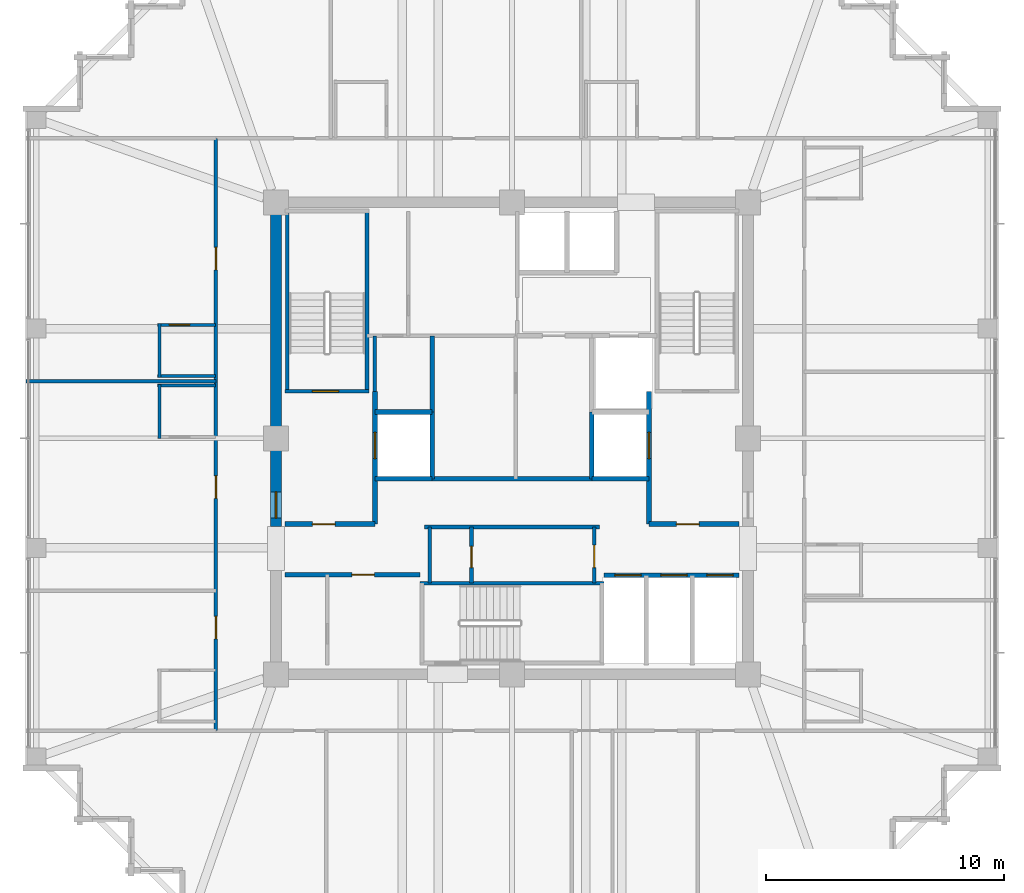
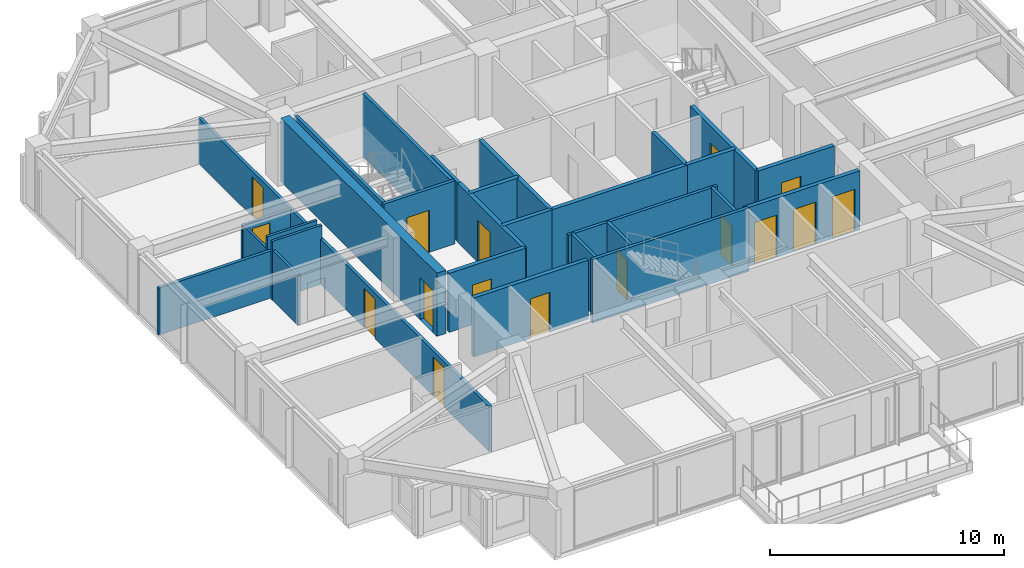
# One storey, part 31 of 36: 30 walls, 16 doors, 16 openings.
"""IFC4 building model written with IfcOpenShell, lengths in metres."""

from ifc_helpers import new_model, si_unit, direction, frame, frame_2d, origin, place, context, subcontext, project, spatial, rectangle, extrude, material, layer, layer_set, type_object, element, fill, save


model = new_model("IFC4")

# Units and contexts
model_context = context("Model", 3, precision=1e-05, world=origin(), true_north=direction((0.0, 1.0)))
body_context = subcontext(model_context, "Body", "Model", "MODEL_VIEW")
ifc_project = project(units=[si_unit("LENGTHUNIT", "METRE"), si_unit("AREAUNIT", "SQUARE_METRE"), si_unit("VOLUMEUNIT", "CUBIC_METRE"), si_unit("PLANEANGLEUNIT", "RADIAN"), si_unit("MASSUNIT", "GRAM", prefix="KILO")], contexts=[model_context])

# Site, building, storey
site_placement = place(None, origin())
site = spatial("IfcSite", under=ifc_project, at=site_placement, CompositionType="ELEMENT")
building_placement = place(site_placement, origin())
building = spatial("IfcBuilding", under=site, at=building_placement, Name="Kolvaren Belvedere", CompositionType="ELEMENT")
storey_placement = place(building_placement, frame((0.0, 0.0, 226.199951171875)))
storey = spatial("IfcBuildingStorey", under=building, at=storey_placement, Name="L66", CompositionType="ELEMENT", Elevation=226.199951171875)

# Wall, opening, door
ifc_material_1 = material(Name="Concrete C50/60", Category="concrete")
ifc_layer_1 = layer(ifc_material_1, 0.449951171875)
ifc_layer_set_1 = layer_set([ifc_layer_1], Name="Concrete C50/60")
wall_type_1 = type_object("IfcWallType", Name="CW-CORE-450", PredefinedType="SHEAR", material=ifc_layer_set_1)
wall_1_placement = place(storey_placement, frame((-9.89990234375, -3.699951171875, 0.0), z_axis=(0.0, 0.0, 1.0), x_axis=(0.0, 1.0, 0.0)))
wall_1 = element("IfcWall", 1, at=wall_1_placement, inside=storey, type_object=wall_type_1, Name="L66 West Core Shear Wall 2", PredefinedType="SHEAR", context=body_context, shape_type="SweptSolid", body=[
    extrude(rectangle(XDim=13.375, YDim=0.449951171875, at=frame_2d((6.6875, 0.0))), origin(), (0.0, 0.0, 1.0), 3.300048828125),
])
opening_1_placement = place(wall_1_placement, frame((0.35009765625, 0.0, 0.0)))
opening_1 = element("IfcOpeningElement", 2, at=opening_1_placement, cuts=wall_1, Name="Opening D-FD90", PredefinedType="OPENING", context=body_context, shape_type="SweptSolid", body=[
    extrude(rectangle(XDim=1.10009765625, YDim=2.199951171875, at=frame_2d((0.550048828125, 1.10009765625))), frame((0.0, 0.23486328125, 0.0), z_axis=(0.0, -1.0, 0.0), x_axis=(1.0, 0.0, 0.0)), (0.0, 0.0, 1.0), 0.469970703125),
])
ifc_material_2 = material(Name="Painted hollow stainless steel", Category="steel")
door_type_1 = type_object("IfcDoorType", Name="DR-FD90-1100", OperationType="NOTDEFINED", PredefinedType="DOOR", material=ifc_material_2)
door_1_placement = place(opening_1_placement, origin())
door_1 = element("IfcDoor", 3, at=door_1_placement, inside=storey, type_object=door_type_1, Name="L66 West Firefighting Lobby Fire Door", OperationType="SINGLE_SWING_LEFT", OverallHeight=2.199951171875, OverallWidth=1.10009765625, PredefinedType="DOOR", context=body_context, shape_type="SweptSolid", body=[
    extrude(rectangle(XDim=1.10009765625, YDim=2.199951171875, at=frame_2d((0.550048828125, 1.10009765625))), frame((0.0, 0.02490234375, 0.0), z_axis=(0.0, -1.0, 0.0), x_axis=(1.0, 0.0, 0.0)), (0.0, 0.0, 1.0), 0.050048828125),
])
fill(opening_1, door_1)

ifc_material_3 = material(Name="Concrete C50/60", Category="concrete")
ifc_layer_2 = layer(ifc_material_3, 0.159912109375)
ifc_layer_set_2 = layer_set([ifc_layer_2], Name="Concrete C50/60")
wall_type_2 = type_object("IfcWallType", Name="CW-STAIR-160", PredefinedType="SHEAR", material=ifc_layer_set_2)
wall_2_placement = place(storey_placement, frame((-9.52001953125, 1.969970703125, 0.0), z_axis=(0.0, 0.0, 1.0), x_axis=(1.0, 0.0, 0.0)))
wall_2 = element("IfcWall", 4, at=wall_2_placement, inside=storey, type_object=wall_type_2, Name="L66 Stair ST-1 South Shear Wall", PredefinedType="SHEAR", context=body_context, shape_type="SweptSolid", body=[
    extrude(rectangle(XDim=3.52001953125, YDim=0.159912109375, at=frame_2d((1.760009765625, 0.0))), origin(), (0.0, 0.0, 1.0), 3.300048828125),
])
opening_2_placement = place(wall_2_placement, frame((1.14990234375, 0.0, 0.0)))
opening_2 = element("IfcOpeningElement", 5, at=opening_2_placement, cuts=wall_2, Name="Opening D-FD90", PredefinedType="OPENING", context=body_context, shape_type="SweptSolid", body=[
    extrude(rectangle(XDim=1.10009765625, YDim=2.199951171875, at=frame_2d((0.550048828125, 1.10009765625))), frame((0.0, 0.08984375, 0.0), z_axis=(0.0, -1.0, 0.0), x_axis=(1.0, 0.0, 0.0)), (0.0, 0.0, 1.0), 0.179931640625),
])
door_2_placement = place(opening_2_placement, origin())
door_2 = element("IfcDoor", 6, at=door_2_placement, inside=storey, type_object=door_type_1, Name="L66 Stair ST-1 Fire Door", OperationType="SINGLE_SWING_LEFT", OverallHeight=2.199951171875, OverallWidth=1.10009765625, PredefinedType="DOOR", context=body_context, shape_type="SweptSolid", body=[
    extrude(rectangle(XDim=1.10009765625, YDim=2.199951171875, at=frame_2d((0.550048828125, 1.10009765625))), frame((0.0, 0.02490234375, 0.0), z_axis=(0.0, -1.0, 0.0), x_axis=(1.0, 0.0, 0.0)), (0.0, 0.0, 1.0), 0.050048828125),
])
fill(opening_2, door_2)

# Walls
for number, where, z_axis, x_axis, name in (
    (7, (-9.429931640625, 1.969970703125, 0.0), (0.0, 0.0, 1.0), (0.0, 1.0, 0.0), "L66 Stair ST-1 West Shear Wall"),
    (8, (-6.080078125, 1.969970703125, 0.0), (0.0, 0.0, 1.0), (0.0, 1.0, 0.0), "L66 Stair ST-1 East Shear Wall"),
):
    element("IfcWall", number, at=place(storey_placement, frame(where, z_axis=z_axis, x_axis=x_axis)), inside=storey, type_object=wall_type_2, Name=name, PredefinedType="SHEAR", context=body_context, shape_type="SweptSolid", body=[
        extrude(rectangle(XDim=7.56005859375, YDim=0.159912109375, at=frame_2d((3.780029296875, 0.0))), origin(), (0.0, 0.0, 1.0), 3.300048828125),
    ])
wall_3_placement = place(storey_placement, frame((-3.860107421875, -6.080078125, 0.0), z_axis=(0.0, 0.0, 1.0), x_axis=(1.0, 0.0, 0.0)))
element("IfcWall", 9, at=wall_3_placement, inside=storey, type_object=wall_type_2, Name="L66 Stair ST-3 North Shear Wall", PredefinedType="SHEAR", context=body_context, shape_type="SweptSolid", body=[
    extrude(rectangle(XDim=7.72021484375, YDim=0.159912109375, at=frame_2d((3.860107421875, 0.0))), origin(), (0.0, 0.0, 1.0), 3.300048828125),
])

# Wall, openings, doors
ifc_material_4 = material(Name="Gypsum fire-rated partition assembly", Category="gypsum")
ifc_layer_3 = layer(ifc_material_4, 0.14990234375)
ifc_layer_set_3 = layer_set([ifc_layer_3], Name="Gypsum fire-rated partition assembly")
wall_type_3 = type_object("IfcWallType", Name="WL-CORR-150", PredefinedType="PARTITIONING", material=ifc_layer_set_3)
wall_4_placement = place(storey_placement, frame((-12.419921875, -12.260009765625, 0.0), z_axis=(0.0, 0.0, 1.0), x_axis=(0.0, 1.0, 0.0)))
wall_4 = element("IfcWall", 10, at=wall_4_placement, inside=storey, type_object=wall_type_3, Name="L66 West Corridor Wall", PredefinedType="PARTITIONING", context=body_context, shape_type="SweptSolid", body=[
    extrude(rectangle(XDim=24.840087890625, YDim=0.14990234375, at=frame_2d((12.419921875, 0.0))), origin(), (0.0, 0.0, 1.0), 2.369140625),
])
opening_3_placement = place(wall_4_placement, frame((3.840087890625, 0.0, 0.0)))
opening_3 = element("IfcOpeningElement", 11, at=opening_3_placement, cuts=wall_4, Name="Opening D-FD60", PredefinedType="OPENING", context=body_context, shape_type="SweptSolid", body=[
    extrude(rectangle(XDim=0.949951171875, YDim=2.06005859375, at=frame_2d((0.47509765625, 1.030029296875))), frame((0.0, 0.0849609375, 0.0), z_axis=(0.0, -1.0, 0.0), x_axis=(1.0, 0.0, 0.0)), (0.0, 0.0, 1.0), 0.169921875),
])
opening_4_placement = place(wall_4_placement, frame((9.737548828125, 0.0, 0.0)))
opening_4 = element("IfcOpeningElement", 12, at=opening_4_placement, cuts=wall_4, Name="Opening D-FD60", PredefinedType="OPENING", context=body_context, shape_type="SweptSolid", body=[
    extrude(rectangle(XDim=0.949951171875, YDim=2.06005859375, at=frame_2d((0.47509765625, 1.030029296875))), frame((0.0, 0.0849609375, 0.0), z_axis=(0.0, -1.0, 0.0), x_axis=(1.0, 0.0, 0.0)), (0.0, 0.0, 1.0), 0.169921875),
])
opening_5_placement = place(wall_4_placement, frame((19.320068359375, 0.0, 0.0)))
opening_5 = element("IfcOpeningElement", 13, at=opening_5_placement, cuts=wall_4, Name="Opening D-FD60", PredefinedType="OPENING", context=body_context, shape_type="SweptSolid", body=[
    extrude(rectangle(XDim=0.949951171875, YDim=2.06005859375, at=frame_2d((0.47509765625, 1.030029296875))), frame((0.0, 0.0849609375, 0.0), z_axis=(0.0, -1.0, 0.0), x_axis=(1.0, 0.0, 0.0)), (0.0, 0.0, 1.0), 0.169921875),
])
ifc_material_5 = material(Name="Acoustic white-oak fire door leaf", Category="timber")
door_type_2 = type_object("IfcDoorType", Name="DR-FD60-950", OperationType="NOTDEFINED", PredefinedType="DOOR", material=ifc_material_5)
door_3_placement = place(opening_3_placement, origin())
door_3 = element("IfcDoor", 14, at=door_3_placement, inside=storey, type_object=door_type_2, Name="L66 Twin Guest Room 6607 Entry Door", OperationType="SINGLE_SWING_LEFT", OverallHeight=2.06005859375, OverallWidth=0.949951171875, PredefinedType="DOOR", context=body_context, shape_type="SweptSolid", body=[
    extrude(rectangle(XDim=0.949951171875, YDim=2.06005859375, at=frame_2d((0.47509765625, 1.030029296875))), frame((0.0, 0.02490234375, 0.0), z_axis=(0.0, -1.0, 0.0), x_axis=(1.0, 0.0, 0.0)), (0.0, 0.0, 1.0), 0.050048828125),
])
fill(opening_3, door_3)
door_4_placement = place(opening_4_placement, origin())
door_4 = element("IfcDoor", 15, at=door_4_placement, inside=storey, type_object=door_type_2, Name="L66 Deluxe King Guest Room 6608 Entry Door", OperationType="SINGLE_SWING_LEFT", OverallHeight=2.06005859375, OverallWidth=0.949951171875, PredefinedType="DOOR", context=body_context, shape_type="SweptSolid", body=[
    extrude(rectangle(XDim=0.949951171875, YDim=2.06005859375, at=frame_2d((0.47509765625, 1.030029296875))), frame((0.0, 0.02490234375, 0.0), z_axis=(0.0, -1.0, 0.0), x_axis=(1.0, 0.0, 0.0)), (0.0, 0.0, 1.0), 0.050048828125),
])
fill(opening_4, door_4)
door_5_placement = place(opening_5_placement, origin())
door_5 = element("IfcDoor", 16, at=door_5_placement, inside=storey, type_object=door_type_2, Name="L66 Twin Guest Room 6609 Entry Door", OperationType="SINGLE_SWING_LEFT", OverallHeight=2.06005859375, OverallWidth=0.949951171875, PredefinedType="DOOR", context=body_context, shape_type="SweptSolid", body=[
    extrude(rectangle(XDim=0.949951171875, YDim=2.06005859375, at=frame_2d((0.47509765625, 1.030029296875))), frame((0.0, 0.02490234375, 0.0), z_axis=(0.0, -1.0, 0.0), x_axis=(1.0, 0.0, 0.0)), (0.0, 0.0, 1.0), 0.050048828125),
])
fill(opening_5, door_5)

# Wall
ifc_material_6 = material(Name="Gypsum acoustic partition assembly", Category="gypsum")
ifc_layer_4 = layer(ifc_material_6, 0.14990234375)
ifc_layer_set_4 = layer_set([ifc_layer_4], Name="Gypsum acoustic partition assembly")
wall_type_4 = type_object("IfcWallType", Name="WL-PART-150", PredefinedType="PARTITIONING", material=ifc_layer_set_4)
wall_5_placement = place(storey_placement, frame((-3.679931640625, -3.719970703125, 0.0), z_axis=(0.0, 0.0, 1.0), x_axis=(1.0, 0.0, 0.0)))
element("IfcWall", 17, at=wall_5_placement, inside=storey, type_object=wall_type_4, Name="L66 South Core Service North Wall", PredefinedType="PARTITIONING", context=body_context, shape_type="SweptSolid", body=[
    extrude(rectangle(XDim=7.35986328125, YDim=0.14990234375, at=frame_2d((3.679931640625, 0.0))), origin(), (0.0, 0.0, 1.0), 3.080078125),
])

# Wall, opening, door
wall_6_placement = place(storey_placement, frame((3.449951171875, -6.080078125, 0.0), z_axis=(0.0, 0.0, 1.0), x_axis=(0.0, 1.0, 0.0)))
wall_6 = element("IfcWall", 18, at=wall_6_placement, inside=storey, type_object=wall_type_4, Name="L66 South Core Service East Wall", PredefinedType="PARTITIONING", context=body_context, shape_type="SweptSolid", body=[
    extrude(rectangle(XDim=2.360107421875, YDim=0.14990234375, at=frame_2d((1.18017578125, 0.0))), origin(), (0.0, 0.0, 1.0), 3.080078125),
])
opening_6_placement = place(wall_6_placement, frame((0.64990234375, 0.0, 0.0)))
opening_6 = element("IfcOpeningElement", 19, at=opening_6_placement, cuts=wall_6, Name="Opening D-FD60", PredefinedType="OPENING", context=body_context, shape_type="SweptSolid", body=[
    extrude(rectangle(XDim=0.949951171875, YDim=2.06005859375, at=frame_2d((0.47509765625, 1.030029296875))), frame((0.0, 0.0849609375, 0.0), z_axis=(0.0, -1.0, 0.0), x_axis=(1.0, 0.0, 0.0)), (0.0, 0.0, 1.0), 0.169921875),
])
door_6_placement = place(opening_6_placement, origin())
door_6 = element("IfcDoor", 20, at=door_6_placement, inside=storey, type_object=door_type_2, Name="L66 Core Service Room Door", OperationType="SINGLE_SWING_LEFT", OverallHeight=2.06005859375, OverallWidth=0.949951171875, PredefinedType="DOOR", context=body_context, shape_type="SweptSolid", body=[
    extrude(rectangle(XDim=0.949951171875, YDim=2.06005859375, at=frame_2d((0.47509765625, 1.030029296875))), frame((0.0, 0.02490234375, 0.0), z_axis=(0.0, -1.0, 0.0), x_axis=(1.0, 0.0, 0.0)), (0.0, 0.0, 1.0), 0.050048828125),
])
fill(opening_6, door_6)

# Wall
wall_7_placement = place(storey_placement, frame((-3.449951171875, -6.080078125, 0.0), z_axis=(0.0, 0.0, 1.0), x_axis=(0.0, 1.0, 0.0)))
element("IfcWall", 21, at=wall_7_placement, inside=storey, type_object=wall_type_4, Name="L66 South Core Service West Wall", PredefinedType="PARTITIONING", context=body_context, shape_type="SweptSolid", body=[
    extrude(rectangle(XDim=2.360107421875, YDim=0.14990234375, at=frame_2d((1.18017578125, 0.0))), origin(), (0.0, 0.0, 1.0), 3.080078125),
])

# Wall, opening, door
wall_8_placement = place(storey_placement, frame((-1.699951171875, -6.080078125, 0.0), z_axis=(0.0, 0.0, 1.0), x_axis=(0.0, 1.0, 0.0)))
wall_8 = element("IfcWall", 22, at=wall_8_placement, inside=storey, type_object=wall_type_4, Name="L66 Core Service Divider", PredefinedType="PARTITIONING", context=body_context, shape_type="SweptSolid", body=[
    extrude(rectangle(XDim=2.360107421875, YDim=0.14990234375, at=frame_2d((1.18017578125, 0.0))), origin(), (0.0, 0.0, 1.0), 3.080078125),
])
opening_7_placement = place(wall_8_placement, frame((0.64990234375, 0.0, 0.0)))
opening_7 = element("IfcOpeningElement", 23, at=opening_7_placement, cuts=wall_8, Name="Opening D-INT90", PredefinedType="OPENING", context=body_context, shape_type="SweptSolid", body=[
    extrude(rectangle(XDim=0.89990234375, YDim=2.06005859375, at=frame_2d((0.449951171875, 1.030029296875))), frame((0.0, 0.0849609375, 0.0), z_axis=(0.0, -1.0, 0.0), x_axis=(1.0, 0.0, 0.0)), (0.0, 0.0, 1.0), 0.169921875),
])
ifc_material_7 = material(Name="Stained Pacific white oak", Category="timber")
door_type_3 = type_object("IfcDoorType", Name="DR-INT-900", OperationType="NOTDEFINED", PredefinedType="DOOR", material=ifc_material_7)
door_7_placement = place(opening_7_placement, origin())
door_7 = element("IfcDoor", 24, at=door_7_placement, inside=storey, type_object=door_type_3, Name="L66 Telecom Inner Door", OperationType="SINGLE_SWING_RIGHT", OverallHeight=2.06005859375, OverallWidth=0.89990234375, PredefinedType="DOOR", context=body_context, shape_type="SweptSolid", body=[
    extrude(rectangle(XDim=0.89990234375, YDim=2.06005859375, at=frame_2d((0.449951171875, 1.030029296875))), frame((0.0, 0.02490234375, 0.0), z_axis=(0.0, -1.0, 0.0), x_axis=(1.0, 0.0, 0.0)), (0.0, 0.0, 1.0), 0.050048828125),
])
fill(opening_7, door_7)

# Walls
wall_9_placement = place(storey_placement, frame((-5.75, 1.969970703125, 0.0), z_axis=(0.0, 0.0, 1.0), x_axis=(0.0, 1.0, 0.0)))
element("IfcWall", 25, at=wall_9_placement, inside=storey, type_object=wall_type_4, Name="L66 NW Service Room West Wall", PredefinedType="PARTITIONING", context=body_context, shape_type="SweptSolid", body=[
    extrude(rectangle(XDim=2.330078125, YDim=0.14990234375, at=frame_2d((1.1650390625, 0.0))), origin(), (0.0, 0.0, 1.0), 3.080078125),
])
wall_10_placement = place(storey_placement, frame((-20.3798828125, 2.39990234375, 0.0), z_axis=(0.0, 0.0, 1.0), x_axis=(1.0, 0.0, 0.0)))
element("IfcWall", 26, at=wall_10_placement, inside=storey, type_object=wall_type_4, Name="L66 West Suite Demising Wall 2", PredefinedType="PARTITIONING", context=body_context, shape_type="SweptSolid", body=[
    extrude(rectangle(XDim=7.9599609375, YDim=0.14990234375, at=frame_2d((3.97998046875, 0.0))), origin(), (0.0, 0.0, 1.0), 2.453125),
])

# Wall, opening, door
ifc_material_8 = material(Name="Concrete C50/60", Category="concrete")
ifc_layer_5 = layer(ifc_material_8, 0.199951171875)
ifc_layer_set_5 = layer_set([ifc_layer_5], Name="Concrete C50/60")
wall_type_5 = type_object("IfcWallType", Name="WL-SHAFT-200", PredefinedType="SOLIDWALL", material=ifc_layer_set_5)
wall_11_placement = place(storey_placement, frame((-9.52001953125, -3.60009765625, 0.0), z_axis=(0.0, 0.0, 1.0), x_axis=(1.0, 0.0, 0.0)))
wall_11 = element("IfcWall", 27, at=wall_11_placement, inside=storey, type_object=wall_type_5, Name="L66 West FSAE Lobby South Wall", PredefinedType="SOLIDWALL", context=body_context, shape_type="SweptSolid", body=[
    extrude(rectangle(XDim=3.77001953125, YDim=0.199951171875, at=frame_2d((1.885009765625, 0.0))), origin(), (0.0, 0.0, 1.0), 3.080078125),
])
opening_8_placement = place(wall_11_placement, frame((1.14990234375, 0.0, 0.0)))
opening_8 = element("IfcOpeningElement", 28, at=opening_8_placement, cuts=wall_11, Name="Opening D-FD60", PredefinedType="OPENING", context=body_context, shape_type="SweptSolid", body=[
    extrude(rectangle(XDim=0.949951171875, YDim=2.06005859375, at=frame_2d((0.47509765625, 1.030029296875))), frame((0.0, 0.10986328125, 0.0), z_axis=(0.0, -1.0, 0.0), x_axis=(1.0, 0.0, 0.0)), (0.0, 0.0, 1.0), 0.219970703125),
])
door_8_placement = place(opening_8_placement, origin())
door_8 = element("IfcDoor", 29, at=door_8_placement, inside=storey, type_object=door_type_2, Name="L66 SW Lobby Fire Door", OperationType="SINGLE_SWING_LEFT", OverallHeight=2.06005859375, OverallWidth=0.949951171875, PredefinedType="DOOR", context=body_context, shape_type="SweptSolid", body=[
    extrude(rectangle(XDim=0.949951171875, YDim=2.06005859375, at=frame_2d((0.47509765625, 1.030029296875))), frame((0.0, 0.02490234375, 0.0), z_axis=(0.0, -1.0, 0.0), x_axis=(1.0, 0.0, 0.0)), (0.0, 0.0, 1.0), 0.050048828125),
])
fill(opening_8, door_8)

wall_12_placement = place(storey_placement, frame((-5.75, -3.60009765625, 0.0), z_axis=(0.0, 0.0, 1.0), x_axis=(0.0, 1.0, 0.0)))
wall_12 = element("IfcWall", 30, at=wall_12_placement, inside=storey, type_object=wall_type_5, Name="L66 FSAE FS1 Landing Wall", PredefinedType="SOLIDWALL", context=body_context, shape_type="SweptSolid", body=[
    extrude(rectangle(XDim=5.570068359375, YDim=0.199951171875, at=frame_2d((2.78515625, 0.0))), origin(), (0.0, 0.0, 1.0), 3.080078125),
])
opening_9_placement = place(wall_12_placement, frame((2.75, 0.0, 0.0)))
opening_9 = element("IfcOpeningElement", 31, at=opening_9_placement, cuts=wall_12, Name="Opening LD-11", PredefinedType="OPENING", context=body_context, shape_type="SweptSolid", body=[
    extrude(rectangle(XDim=1.10009765625, YDim=2.199951171875, at=frame_2d((0.550048828125, 1.10009765625))), frame((0.0, 0.10986328125, 0.0), z_axis=(0.0, -1.0, 0.0), x_axis=(1.0, 0.0, 0.0)), (0.0, 0.0, 1.0), 0.219970703125),
])
ifc_material_9 = material(Name="Brushed stainless steel", Category="steel")
door_type_4 = type_object("IfcDoorType", Name="DR-LIFT-1100", OperationType="DOUBLE_DOOR_SLIDING", PredefinedType="DOOR", material=ifc_material_9)
door_9_placement = place(opening_9_placement, origin())
door_9 = element("IfcDoor", 32, at=door_9_placement, inside=storey, type_object=door_type_4, Name="L66 Firefighting Lift FS1 Landing Door", OperationType="DOUBLE_DOOR_SLIDING", OverallHeight=2.199951171875, OverallWidth=1.10009765625, PredefinedType="DOOR", context=body_context, shape_type="SweptSolid", body=[
    extrude(rectangle(XDim=1.10009765625, YDim=2.199951171875, at=frame_2d((0.550048828125, 1.10009765625))), frame((0.0, 0.02490234375, 0.0), z_axis=(0.0, -1.0, 0.0), x_axis=(1.0, 0.0, 0.0)), (0.0, 0.0, 1.0), 0.050048828125),
])
fill(opening_9, door_9)

# Walls
wall_13_placement = place(storey_placement, frame((-3.35009765625, -1.699951171875, 0.0), z_axis=(0.0, 0.0, 1.0), x_axis=(0.0, 1.0, 0.0)))
element("IfcWall", 33, at=wall_13_placement, inside=storey, type_object=wall_type_5, Name="L66 FSAE FS1 Back Wall", PredefinedType="SOLIDWALL", context=body_context, shape_type="SweptSolid", body=[
    extrude(rectangle(XDim=2.800048828125, YDim=0.199951171875, at=frame_2d((1.39990234375, 0.0))), origin(), (0.0, 0.0, 1.0), 3.080078125),
])
for number, where, z_axis, x_axis, name in (
    (34, (-5.75, -1.699951171875, 0.0), (0.0, 0.0, 1.0), (1.0, 0.0, 0.0), "L66 FSAE FS1 South Wall"),
    (35, (-5.75, 1.10009765625, 0.0), (0.0, 0.0, 1.0), (1.0, 0.0, 0.0), "L66 FSAE FS1 North Wall"),
):
    element("IfcWall", number, at=place(storey_placement, frame(where, z_axis=z_axis, x_axis=x_axis)), inside=storey, type_object=wall_type_5, Name=name, PredefinedType="SOLIDWALL", context=body_context, shape_type="SweptSolid", body=[
        extrude(rectangle(XDim=2.39990234375, YDim=0.199951171875, at=frame_2d((1.199951171875, 0.0))), origin(), (0.0, 0.0, 1.0), 3.080078125),
    ])

# Wall, opening, door
wall_14_placement = place(storey_placement, frame((5.75, -3.60009765625, 0.0), z_axis=(0.0, 0.0, 1.0), x_axis=(1.0, 0.0, 0.0)))
wall_14 = element("IfcWall", 36, at=wall_14_placement, inside=storey, type_object=wall_type_5, Name="L66 East FSAE Lobby South Wall", PredefinedType="SOLIDWALL", context=body_context, shape_type="SweptSolid", body=[
    extrude(rectangle(XDim=3.77001953125, YDim=0.199951171875, at=frame_2d((1.885009765625, 0.0))), origin(), (0.0, 0.0, 1.0), 3.080078125),
])
opening_10_placement = place(wall_14_placement, frame((1.14990234375, 0.0, 0.0)))
opening_10 = element("IfcOpeningElement", 37, at=opening_10_placement, cuts=wall_14, Name="Opening D-FD60", PredefinedType="OPENING", context=body_context, shape_type="SweptSolid", body=[
    extrude(rectangle(XDim=0.949951171875, YDim=2.06005859375, at=frame_2d((0.47509765625, 1.030029296875))), frame((0.0, 0.10986328125, 0.0), z_axis=(0.0, -1.0, 0.0), x_axis=(1.0, 0.0, 0.0)), (0.0, 0.0, 1.0), 0.219970703125),
])
door_10_placement = place(opening_10_placement, origin())
door_10 = element("IfcDoor", 38, at=door_10_placement, inside=storey, type_object=door_type_2, Name="L66 SE Lift Lobby Fire Door", OperationType="SINGLE_SWING_RIGHT", OverallHeight=2.06005859375, OverallWidth=0.949951171875, PredefinedType="DOOR", context=body_context, shape_type="SweptSolid", body=[
    extrude(rectangle(XDim=0.949951171875, YDim=2.06005859375, at=frame_2d((0.47509765625, 1.030029296875))), frame((0.0, 0.02490234375, 0.0), z_axis=(0.0, -1.0, 0.0), x_axis=(1.0, 0.0, 0.0)), (0.0, 0.0, 1.0), 0.050048828125),
])
fill(opening_10, door_10)

wall_15_placement = place(storey_placement, frame((5.75, -3.60009765625, 0.0), z_axis=(0.0, 0.0, 1.0), x_axis=(0.0, 1.0, 0.0)))
wall_15 = element("IfcWall", 39, at=wall_15_placement, inside=storey, type_object=wall_type_5, Name="L66 FSAE FS2 Landing Wall", PredefinedType="SOLIDWALL", context=body_context, shape_type="SweptSolid", body=[
    extrude(rectangle(XDim=5.570068359375, YDim=0.199951171875, at=frame_2d((2.78515625, 0.0))), origin(), (0.0, 0.0, 1.0), 3.080078125),
])
opening_11_placement = place(wall_15_placement, frame((2.75, 0.0, 0.0)))
opening_11 = element("IfcOpeningElement", 40, at=opening_11_placement, cuts=wall_15, Name="Opening LD-11", PredefinedType="OPENING", context=body_context, shape_type="SweptSolid", body=[
    extrude(rectangle(XDim=1.10009765625, YDim=2.199951171875, at=frame_2d((0.550048828125, 1.10009765625))), frame((0.0, 0.10986328125, 0.0), z_axis=(0.0, -1.0, 0.0), x_axis=(1.0, 0.0, 0.0)), (0.0, 0.0, 1.0), 0.219970703125),
])
door_11_placement = place(opening_11_placement, origin())
door_11 = element("IfcDoor", 41, at=door_11_placement, inside=storey, type_object=door_type_4, Name="L66 Firefighting Lift FS2 Landing Door", OperationType="DOUBLE_DOOR_SLIDING", OverallHeight=2.199951171875, OverallWidth=1.10009765625, PredefinedType="DOOR", context=body_context, shape_type="SweptSolid", body=[
    extrude(rectangle(XDim=1.10009765625, YDim=2.199951171875, at=frame_2d((0.550048828125, 1.10009765625))), frame((0.0, 0.02490234375, 0.0), z_axis=(0.0, -1.0, 0.0), x_axis=(1.0, 0.0, 0.0)), (0.0, 0.0, 1.0), 0.050048828125),
])
fill(opening_11, door_11)

# Walls
wall_16_placement = place(storey_placement, frame((3.35009765625, -1.699951171875, 0.0), z_axis=(0.0, 0.0, 1.0), x_axis=(0.0, 1.0, 0.0)))
element("IfcWall", 42, at=wall_16_placement, inside=storey, type_object=wall_type_5, Name="L66 FSAE FS2 Back Wall", PredefinedType="SOLIDWALL", context=body_context, shape_type="SweptSolid", body=[
    extrude(rectangle(XDim=2.800048828125, YDim=0.199951171875, at=frame_2d((1.39990234375, 0.0))), origin(), (0.0, 0.0, 1.0), 3.080078125),
])
wall_17_placement = place(storey_placement, frame((3.35009765625, -1.699951171875, 0.0), z_axis=(0.0, 0.0, 1.0), x_axis=(1.0, 0.0, 0.0)))
element("IfcWall", 43, at=wall_17_placement, inside=storey, type_object=wall_type_5, Name="L66 FSAE FS2 South Wall", PredefinedType="SOLIDWALL", context=body_context, shape_type="SweptSolid", body=[
    extrude(rectangle(XDim=2.39990234375, YDim=0.199951171875, at=frame_2d((1.199951171875, 0.0))), origin(), (0.0, 0.0, 1.0), 3.080078125),
])

# Wall, opening, door
wall_18_placement = place(storey_placement, frame((-9.52001953125, -5.719970703125, 0.0), z_axis=(0.0, 0.0, 1.0), x_axis=(1.0, 0.0, 0.0)))
wall_18 = element("IfcWall", 44, at=wall_18_placement, inside=storey, type_object=wall_type_5, Name="L66 Reclaimed Mid Room North Wall", PredefinedType="SOLIDWALL", context=body_context, shape_type="SweptSolid", body=[
    extrude(rectangle(XDim=5.659912109375, YDim=0.199951171875, at=frame_2d((2.830078125, 0.0))), origin(), (0.0, 0.0, 1.0), 3.080078125),
])
opening_12_placement = place(wall_18_placement, frame((2.800048828125, 0.0, 0.0)))
opening_12 = element("IfcOpeningElement", 45, at=opening_12_placement, cuts=wall_18, Name="Opening D-FD60", PredefinedType="OPENING", context=body_context, shape_type="SweptSolid", body=[
    extrude(rectangle(XDim=0.949951171875, YDim=2.06005859375, at=frame_2d((0.47509765625, 1.030029296875))), frame((0.0, 0.10986328125, 0.0), z_axis=(0.0, -1.0, 0.0), x_axis=(1.0, 0.0, 0.0)), (0.0, 0.0, 1.0), 0.219970703125),
])
door_12_placement = place(opening_12_placement, origin())
door_12 = element("IfcDoor", 46, at=door_12_placement, inside=storey, type_object=door_type_2, Name="L66 Reading Lounge Door", OperationType="SINGLE_SWING_LEFT", OverallHeight=2.06005859375, OverallWidth=0.949951171875, PredefinedType="DOOR", context=body_context, shape_type="SweptSolid", body=[
    extrude(rectangle(XDim=0.949951171875, YDim=2.06005859375, at=frame_2d((0.47509765625, 1.030029296875))), frame((0.0, 0.02490234375, 0.0), z_axis=(0.0, -1.0, 0.0), x_axis=(1.0, 0.0, 0.0)), (0.0, 0.0, 1.0), 0.050048828125),
])
fill(opening_12, door_12)

# Wall, openings, doors
wall_19_placement = place(storey_placement, frame((3.860107421875, -5.75, 0.0), z_axis=(0.0, 0.0, 1.0), x_axis=(1.0, 0.0, 0.0)))
wall_19 = element("IfcWall", 47, at=wall_19_placement, inside=storey, type_object=wall_type_5, Name="L66 High-Rise Lift Bank Front Wall", PredefinedType="SOLIDWALL", context=body_context, shape_type="SweptSolid", body=[
    extrude(rectangle(XDim=5.659912109375, YDim=0.199951171875, at=frame_2d((2.830078125, 0.0))), origin(), (0.0, 0.0, 1.0), 3.080078125),
])
opening_13_placement = place(wall_19_placement, frame((0.4599609375, 0.0, 0.0)))
opening_13 = element("IfcOpeningElement", 48, at=opening_13_placement, cuts=wall_19, Name="Opening LD-11", PredefinedType="OPENING", context=body_context, shape_type="SweptSolid", body=[
    extrude(rectangle(XDim=1.10009765625, YDim=2.199951171875, at=frame_2d((0.550048828125, 1.10009765625))), frame((0.0, 0.10986328125, 0.0), z_axis=(0.0, -1.0, 0.0), x_axis=(1.0, 0.0, 0.0)), (0.0, 0.0, 1.0), 0.219970703125),
])
opening_14_placement = place(wall_19_placement, frame((2.389892578125, 0.0, 0.0)))
opening_14 = element("IfcOpeningElement", 49, at=opening_14_placement, cuts=wall_19, Name="Opening LD-11", PredefinedType="OPENING", context=body_context, shape_type="SweptSolid", body=[
    extrude(rectangle(XDim=1.10009765625, YDim=2.199951171875, at=frame_2d((0.550048828125, 1.10009765625))), frame((0.0, 0.10986328125, 0.0), z_axis=(0.0, -1.0, 0.0), x_axis=(1.0, 0.0, 0.0)), (0.0, 0.0, 1.0), 0.219970703125),
])
opening_15_placement = place(wall_19_placement, frame((4.320068359375, 0.0, 0.0)))
opening_15 = element("IfcOpeningElement", 50, at=opening_15_placement, cuts=wall_19, Name="Opening LD-11", PredefinedType="OPENING", context=body_context, shape_type="SweptSolid", body=[
    extrude(rectangle(XDim=1.10009765625, YDim=2.199951171875, at=frame_2d((0.550048828125, 1.10009765625))), frame((0.0, 0.10986328125, 0.0), z_axis=(0.0, -1.0, 0.0), x_axis=(1.0, 0.0, 0.0)), (0.0, 0.0, 1.0), 0.219970703125),
])
door_13_placement = place(opening_13_placement, origin())
door_13 = element("IfcDoor", 51, at=door_13_placement, inside=storey, type_object=door_type_4, Name="L66 Passenger Lift P7 Landing Door", OperationType="DOUBLE_DOOR_SLIDING", OverallHeight=2.199951171875, OverallWidth=1.10009765625, PredefinedType="DOOR", context=body_context, shape_type="SweptSolid", body=[
    extrude(rectangle(XDim=1.10009765625, YDim=2.199951171875, at=frame_2d((0.550048828125, 1.10009765625))), frame((0.0, 0.02490234375, 0.0), z_axis=(0.0, -1.0, 0.0), x_axis=(1.0, 0.0, 0.0)), (0.0, 0.0, 1.0), 0.050048828125),
])
fill(opening_13, door_13)
door_14_placement = place(opening_14_placement, origin())
door_14 = element("IfcDoor", 52, at=door_14_placement, inside=storey, type_object=door_type_4, Name="L66 Passenger Lift P8 Landing Door", OperationType="DOUBLE_DOOR_SLIDING", OverallHeight=2.199951171875, OverallWidth=1.10009765625, PredefinedType="DOOR", context=body_context, shape_type="SweptSolid", body=[
    extrude(rectangle(XDim=1.10009765625, YDim=2.199951171875, at=frame_2d((0.550048828125, 1.10009765625))), frame((0.0, 0.02490234375, 0.0), z_axis=(0.0, -1.0, 0.0), x_axis=(1.0, 0.0, 0.0)), (0.0, 0.0, 1.0), 0.050048828125),
])
fill(opening_14, door_14)
door_15_placement = place(opening_15_placement, origin())
door_15 = element("IfcDoor", 53, at=door_15_placement, inside=storey, type_object=door_type_4, Name="L66 Passenger Lift P9 Landing Door", OperationType="DOUBLE_DOOR_SLIDING", OverallHeight=2.199951171875, OverallWidth=1.10009765625, PredefinedType="DOOR", context=body_context, shape_type="SweptSolid", body=[
    extrude(rectangle(XDim=1.10009765625, YDim=2.199951171875, at=frame_2d((0.550048828125, 1.10009765625))), frame((0.0, 0.02490234375, 0.0), z_axis=(0.0, -1.0, 0.0), x_axis=(1.0, 0.0, 0.0)), (0.0, 0.0, 1.0), 0.050048828125),
])
fill(opening_15, door_15)

# Walls
wall_20_placement = place(storey_placement, frame((-3.35009765625, -1.699951171875, 0.0), z_axis=(0.0, 0.0, 1.0), x_axis=(1.0, 0.0, 0.0)))
element("IfcWall", 54, at=wall_20_placement, inside=storey, type_object=wall_type_5, Name="L66 Central Core Room South Wall", PredefinedType="SOLIDWALL", context=body_context, shape_type="SweptSolid", body=[
    extrude(rectangle(XDim=6.7001953125, YDim=0.199951171875, at=frame_2d((3.35009765625, 0.0))), origin(), (0.0, 0.0, 1.0), 3.080078125),
])
wall_21_placement = place(storey_placement, frame((-3.35009765625, 1.10009765625, 0.0), z_axis=(0.0, 0.0, 1.0), x_axis=(0.0, 1.0, 0.0)))
element("IfcWall", 55, at=wall_21_placement, inside=storey, type_object=wall_type_5, Name="L66 Central Core Room West Wall", PredefinedType="SOLIDWALL", context=body_context, shape_type="SweptSolid", body=[
    extrude(rectangle(XDim=3.199951171875, YDim=0.199951171875, at=frame_2d((1.60009765625, 0.0))), origin(), (0.0, 0.0, 1.0), 3.080078125),
])
ifc_material_10 = material(Name="Moisture-resistant gypsum partition", Category="gypsum")
ifc_layer_6 = layer(ifc_material_10, 0.125)
ifc_layer_set_6 = layer_set([ifc_layer_6], Name="Moisture-resistant gypsum partition")
wall_type_6 = type_object("IfcWallType", Name="WL-WET-125", PredefinedType="PARTITIONING", material=ifc_layer_set_6)
wall_22_placement = place(storey_placement, frame((-14.794921875, -0.0048828125, 0.0), z_axis=(0.0, 0.0, 1.0), x_axis=(0.0, 1.0, 0.0)))
element("IfcWall", 56, at=wall_22_placement, inside=storey, type_object=wall_type_6, Name="L66 Bathroom Partition PW-L66-BTH-8-V", PredefinedType="PARTITIONING", context=body_context, shape_type="SweptSolid", body=[
    extrude(rectangle(XDim=2.269775390625, YDim=0.125, at=frame_2d((1.134765625, 0.0))), origin(), (0.0, 0.0, 1.0), 2.60498046875),
])
wall_23_placement = place(storey_placement, frame((-14.875, 2.205078125, 0.0), z_axis=(0.0, 0.0, 1.0), x_axis=(1.0, 0.0, 0.0)))
element("IfcWall", 57, at=wall_23_placement, inside=storey, type_object=wall_type_6, Name="L66 Bathroom Partition PW-L66-BTH-8-S", PredefinedType="PARTITIONING", context=body_context, shape_type="SweptSolid", body=[
    extrude(rectangle(XDim=2.43994140625, YDim=0.125, at=frame_2d((1.219970703125, 0.0))), origin(), (0.0, 0.0, 1.0), 3.080078125),
])

# Wall, opening, door
wall_24_placement = place(storey_placement, frame((-14.875, 4.759033203125, 0.0), z_axis=(0.0, 0.0, 1.0), x_axis=(1.0, 0.0, 0.0)))
wall_24 = element("IfcWall", 58, at=wall_24_placement, inside=storey, type_object=wall_type_6, Name="L66 Bathroom Partition PW-L66-BTH-9-N", PredefinedType="PARTITIONING", context=body_context, shape_type="SweptSolid", body=[
    extrude(rectangle(XDim=2.43994140625, YDim=0.125, at=frame_2d((1.219970703125, 0.0))), origin(), (0.0, 0.0, 1.0), 2.369140625),
])
opening_16_placement = place(wall_24_placement, frame((0.5, 0.0, 0.0)))
opening_16 = element("IfcOpeningElement", 59, at=opening_16_placement, cuts=wall_24, Name="Opening D-BTH85", PredefinedType="OPENING", context=body_context, shape_type="SweptSolid", body=[
    extrude(rectangle(XDim=0.85009765625, YDim=2.030029296875, at=frame_2d((0.425048828125, 1.01513671875))), frame((0.0, 0.072509765625, 0.0), z_axis=(0.0, -1.0, 0.0), x_axis=(1.0, 0.0, 0.0)), (0.0, 0.0, 1.0), 0.14501953125),
])
ifc_material_11 = material(Name="Moisture-sealed Pacific white oak", Category="timber")
door_type_5 = type_object("IfcDoorType", Name="DR-BATH-850", OperationType="NOTDEFINED", PredefinedType="DOOR", material=ifc_material_11)
door_16_placement = place(opening_16_placement, origin())
door_16 = element("IfcDoor", 60, at=door_16_placement, inside=storey, type_object=door_type_5, Name="L66 En-Suite Bathroom 6609 Door", OperationType="SINGLE_SWING_RIGHT", OverallHeight=2.030029296875, OverallWidth=0.85009765625, PredefinedType="DOOR", context=body_context, shape_type="SweptSolid", body=[
    extrude(rectangle(XDim=0.85009765625, YDim=2.030029296875, at=frame_2d((0.425048828125, 1.01513671875))), frame((0.0, 0.02490234375, 0.0), z_axis=(0.0, -1.0, 0.0), x_axis=(1.0, 0.0, 0.0)), (0.0, 0.0, 1.0), 0.050048828125),
])
fill(opening_16, door_16)

# Walls
wall_25_placement = place(storey_placement, frame((-14.794921875, 2.549072265625, 0.0), z_axis=(0.0, 0.0, 1.0), x_axis=(0.0, 1.0, 0.0)))
element("IfcWall", 61, at=wall_25_placement, inside=storey, type_object=wall_type_6, Name="L66 Bathroom Partition PW-L66-BTH-9-V", PredefinedType="PARTITIONING", context=body_context, shape_type="SweptSolid", body=[
    extrude(rectangle(XDim=2.27001953125, YDim=0.125, at=frame_2d((1.135009765625, 0.0))), origin(), (0.0, 0.0, 1.0), 2.369140625),
])
wall_26_placement = place(storey_placement, frame((-14.875, 2.60888671875, 0.0), z_axis=(0.0, 0.0, 1.0), x_axis=(1.0, 0.0, 0.0)))
element("IfcWall", 62, at=wall_26_placement, inside=storey, type_object=wall_type_6, Name="L66 Bathroom Partition PW-L66-BTH-9-S", PredefinedType="PARTITIONING", context=body_context, shape_type="SweptSolid", body=[
    extrude(rectangle(XDim=2.43994140625, YDim=0.125, at=frame_2d((1.219970703125, 0.0))), origin(), (0.0, 0.0, 1.0), 3.080078125),
])

save(model, "model.ifc")
